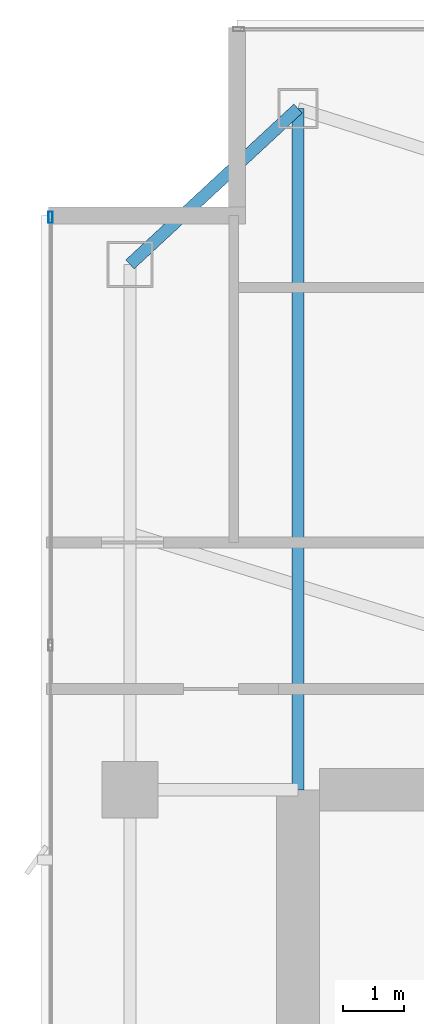
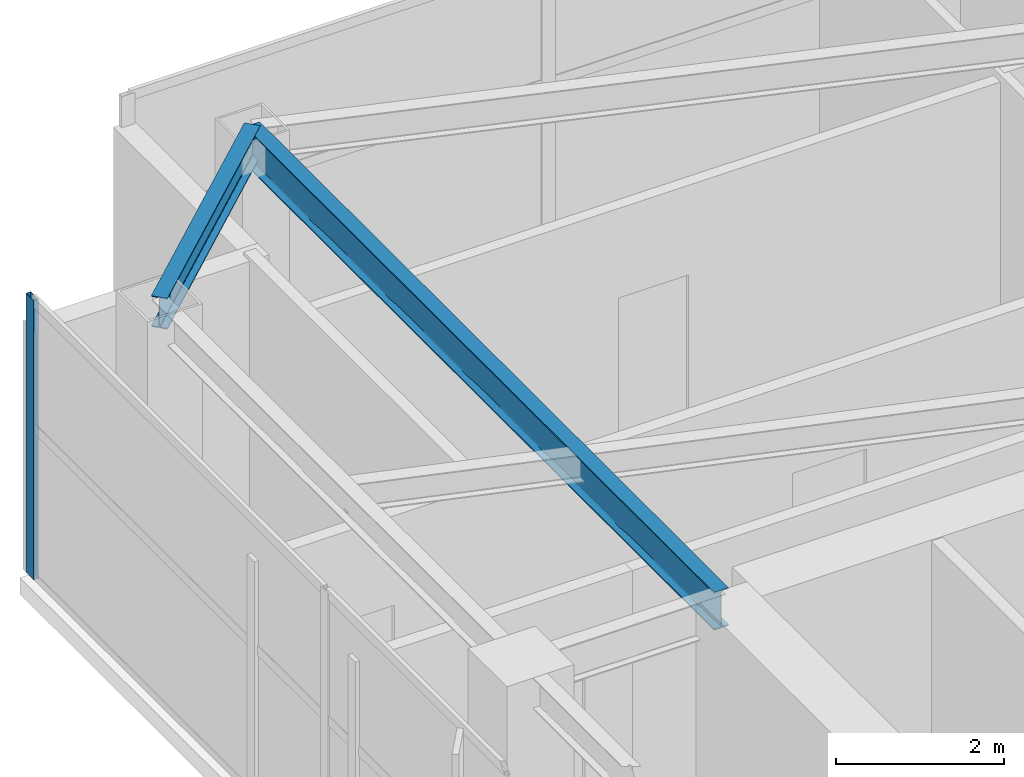
# One storey, part 16 of 27: 2 beams, 1 member, 1 element without a shape of its own.
"""IFC4 building model written with IfcOpenShell, lengths in metres."""

from ifc_helpers import new_model, si_unit, direction, frame, origin, origin_2d, place, context, subcontext, project, spatial, hollow_rectangle, i_section, extrude, material, layer, layer_set, material_profile, profile_set, type_object, element, aggregate, save


model = new_model("IFC4")

# Units and contexts
model_context = context("Model", 3, precision=1e-05, world=origin(), true_north=direction((0.0, 1.0)))
body_context = subcontext(model_context, "Body", "Model", "MODEL_VIEW")
ifc_project = project(units=[si_unit("LENGTHUNIT", "METRE"), si_unit("AREAUNIT", "SQUARE_METRE"), si_unit("VOLUMEUNIT", "CUBIC_METRE"), si_unit("PLANEANGLEUNIT", "RADIAN"), si_unit("MASSUNIT", "GRAM", prefix="KILO")], contexts=[model_context])

# Site, building, storey
site_placement = place(None, origin())
site = spatial("IfcSite", under=ifc_project, at=site_placement, CompositionType="ELEMENT")
building_placement = place(site_placement, origin())
building = spatial("IfcBuilding", under=site, at=building_placement, Name="Calvorn Quay Hotel", CompositionType="ELEMENT")
storey_placement = place(building_placement, frame((0.0, 0.0, 239.300048828125)))
storey = spatial("IfcBuildingStorey", under=building, at=storey_placement, Name="L59", CompositionType="ELEMENT", Elevation=239.300048828125)

# Beams
ifc_material_1 = material(Name="Steel Q355B", Category="steel")
ifc_material_profile_1 = material_profile(ifc_material_1, i_section(OverallWidth=0.199951171875, OverallDepth=0.550048828125, WebThickness=0.010009765625, FlangeThickness=0.01611328125, FilletRadius=0.01806640625, at=origin_2d()), Name="HN550x200x10x16")
ifc_profile_set_1 = profile_set([ifc_material_profile_1], Name="Steel Q355B")
beam_type_1 = type_object("IfcBeamType", Name="BM-GIRD-UPP", PredefinedType="BEAM", material=ifc_profile_set_1)
beam_1_placement = place(storey_placement, frame((4.199951171875, 49.550048828125, 3.77490234375), z_axis=(0.0, -1.0, 0.0), x_axis=(1.0, 0.0, 0.0)))
element("IfcBeam", 1, at=beam_1_placement, inside=storey, type_object=beam_type_1, Name="Beam BG-L59-W5", PredefinedType="BEAM", context=body_context, shape_type="SweptSolid", body=[
    extrude(i_section(OverallWidth=0.199951171875, OverallDepth=0.550048828125, WebThickness=0.010009765625, FlangeThickness=0.01611328125, FilletRadius=0.01806640625, at=origin_2d()), origin(), (0.0, 0.0, 1.0), 11.150146484375),
])
ifc_material_2 = material(Name="Steel Q355B", Category="steel")
ifc_material_profile_2 = material_profile(ifc_material_2, i_section(OverallWidth=0.199951171875, OverallDepth=0.449951171875, WebThickness=0.009033203125, FlangeThickness=0.013916015625, FilletRadius=0.01611328125, at=origin_2d()), Name="HN450x200x9x14")
ifc_profile_set_2 = profile_set([ifc_material_profile_2], Name="Steel Q355B")
beam_type_2 = type_object("IfcBeamType", Name="BM-SPANDREL-Z3", PredefinedType="SPANDREL", material=ifc_profile_set_2)
beam_2_placement = place(storey_placement, frame((1.449951171875, 47.0, 3.824951171875), z_axis=(0.733261665538, 0.679946563969, 0.0), x_axis=(-0.679946563969, 0.733261665538, 0.0)))
element("IfcBeam", 2, at=beam_2_placement, inside=storey, type_object=beam_type_2, Name="Beam BSP-L59-W5", PredefinedType="SPANDREL", context=body_context, shape_type="SweptSolid", body=[
    extrude(i_section(OverallWidth=0.199951171875, OverallDepth=0.449951171875, WebThickness=0.009033203125, FlangeThickness=0.013916015625, FilletRadius=0.01611328125, at=origin_2d()), origin(), (0.0, 0.0, 1.0), 3.75048828125),
])

# Curtain wall, member
ifc_material_3 = material(Name="Champagne Bronze Anodised Aluminium and Low-E Glass", Category="aluminium")
ifc_layer = layer(ifc_material_3, 0.219970703125)
ifc_layer_set = layer_set([ifc_layer], Name="CW-SYS-Z3")
curtain_wall_type = type_object("IfcCurtainWallType", Name="CW-SYS-Z3", PredefinedType="NOTDEFINED", material=ifc_layer_set)
curtain_wall_placement = place(storey_placement, origin())
curtain_wall = element("IfcCurtainWall", 3, at=curtain_wall_placement, inside=storey, type_object=curtain_wall_type, Name="Tower West Curtain Wall (L59)", PredefinedType="NOTDEFINED")
ifc_material_4 = material(Name="Champagne Bronze Anodised Aluminium 6063-T6", Category="aluminium")
ifc_material_profile_3 = material_profile(ifc_material_4, hollow_rectangle(XDim=0.068115234375, YDim=0.18505859375, WallThickness=0.00390625, at=origin_2d()), Name="ALU-M185x68x4")
ifc_profile_set_3 = profile_set([ifc_material_profile_3], Name="Champagne Bronze Anodised Aluminium 6063-T6")
member_type = type_object("IfcMemberType", Name="CW-SYS-Z3-MUL", PredefinedType="MULLION", material=ifc_profile_set_3)
member_placement = place(storey_placement, frame((0.14990234375, 47.77001953125, 0.0), z_axis=(0.0, 0.0, 1.0), x_axis=(-1.0, 0.0, 0.0)))
member = element("IfcMember", 4, at=member_placement, type_object=member_type, Name="CW-L59-W mullion 7", PredefinedType="MULLION", context=body_context, shape_type="SweptSolid", body=[
    extrude(hollow_rectangle(XDim=0.068115234375, YDim=0.18505859375, WallThickness=0.00390625, at=origin_2d()), origin(), (0.0, 0.0, 1.0), 4.050048828125),
])
aggregate(curtain_wall, [member])

save(model, "model.ifc")
